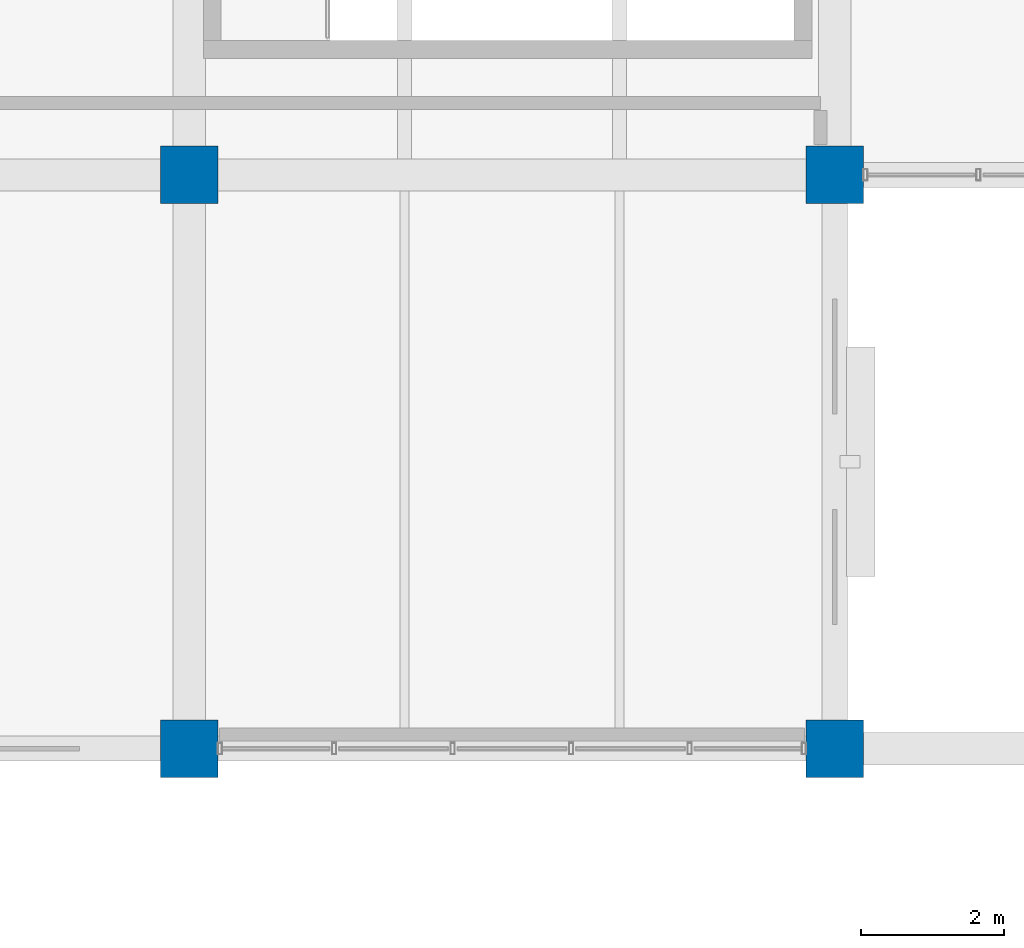
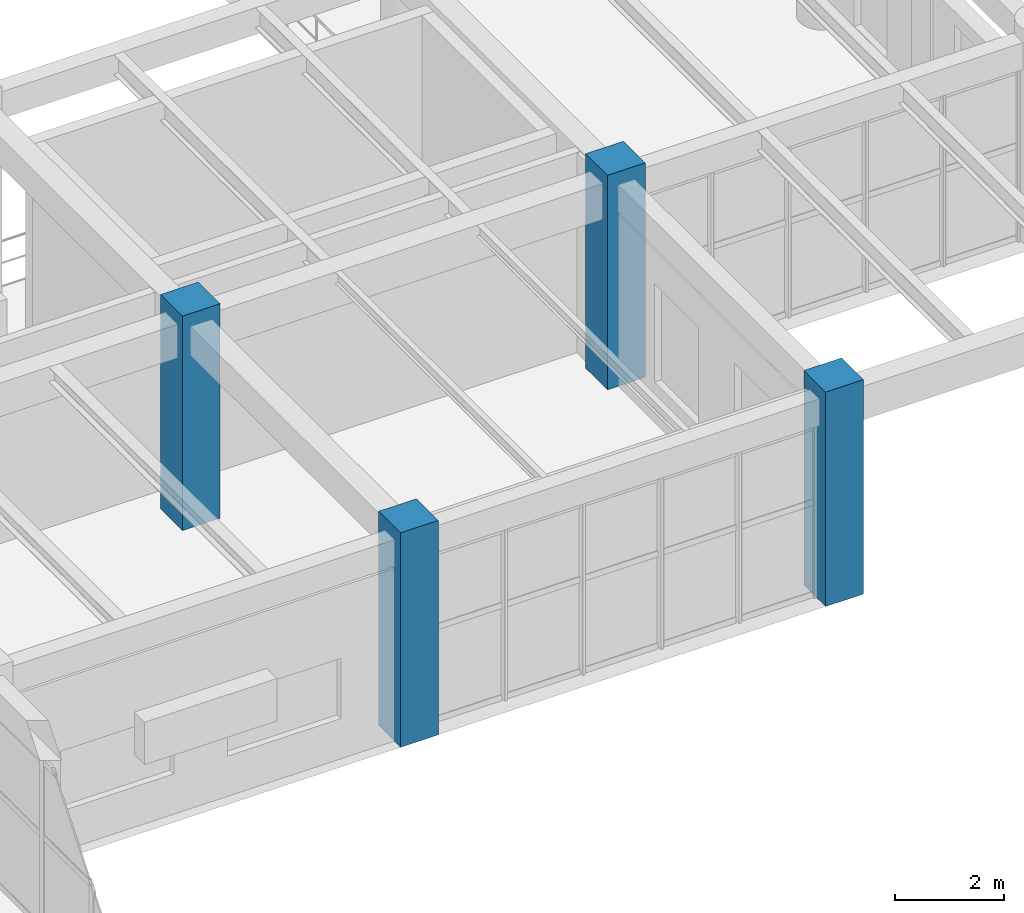
# One storey, part 2 of 178: 4 columns.
"""IFC4 building model written with IfcOpenShell, lengths in metres."""

from ifc_helpers import new_model, si_unit, derived_unit, direction, frame, origin, origin_2d, place, context, subcontext, project, spatial, rectangle, extrude, material, material_profile, profile_set, type_object, element, save


model = new_model("IFC4")

# Units and contexts
model_context = context("Model", 3, precision=1e-05, world=origin(), true_north=direction((0.0, 1.0)))
body_context = subcontext(model_context, "Body", "Model", "MODEL_VIEW")
ifc_project = project(units=[si_unit("LENGTHUNIT", "METRE"), si_unit("AREAUNIT", "SQUARE_METRE"), si_unit("VOLUMEUNIT", "CUBIC_METRE"), si_unit("PLANEANGLEUNIT", "RADIAN"), si_unit("MASSUNIT", "GRAM", prefix="KILO"), derived_unit("THERMALTRANSMITTANCEUNIT", [(si_unit("MASSUNIT", "GRAM", prefix="KILO"), 1), (si_unit("TIMEUNIT", "SECOND"), -3), (si_unit("THERMODYNAMICTEMPERATUREUNIT", "KELVIN"), -1)])], contexts=[model_context])

# Site, building, storey
site_placement = place(None, origin())
site = spatial("IfcSite", under=ifc_project, at=site_placement, CompositionType="ELEMENT")
building_placement = place(site_placement, origin())
building = spatial("IfcBuilding", under=site, at=building_placement, Name="Zhenchuan Archway Interchange", CompositionType="ELEMENT")
storey_placement = place(building_placement, frame((0.0, 0.0, 5.39990234375)))
storey = spatial("IfcBuildingStorey", under=building, at=storey_placement, Name="L01", CompositionType="ELEMENT", Elevation=5.39990234375)

# Columns
ifc_material = material(Name="Concrete C40", Category="concrete")
ifc_material_profile = material_profile(ifc_material, rectangle(XDim=0.800048828125, YDim=0.800048828125, at=origin_2d()), Name="RC 800x800")
ifc_profile_set = profile_set([ifc_material_profile], Name="Concrete C40")
column_type = type_object("IfcColumnType", Name="COL_RC_800", PredefinedType="COLUMN", material=ifc_profile_set)
for number, where, z_axis, x_axis, name in (
    (1, (54.0, 16.0, 0.0), (0.0, 0.0, 1.0), (1.0, 0.0, 0.0), "Column 7/C (L01)"),
    (2, (54.0, 24.0, 0.0), (0.0, 0.0, 1.0), (1.0, 0.0, 0.0), "Column 7/D (L01)"),
    (3, (63.0, 16.0, 0.0), (0.0, 0.0, 1.0), (1.0, 0.0, 0.0), "Column 8/C (L01)"),
    (4, (63.0, 24.0, 0.0), (0.0, 0.0, 1.0), (1.0, 0.0, 0.0), "Column 8/D (L01)"),
):
    element("IfcColumn", number, at=place(storey_placement, frame(where, z_axis=z_axis, x_axis=x_axis)), inside=storey, type_object=column_type, Name=name, PredefinedType="COLUMN", context=body_context, shape_type="SweptSolid", body=[
        extrude(rectangle(XDim=0.800048828125, YDim=0.800048828125, at=origin_2d()), origin(), (0.0, 0.0, 1.0), 4.800048828125),
    ])

save(model, "model.ifc")
